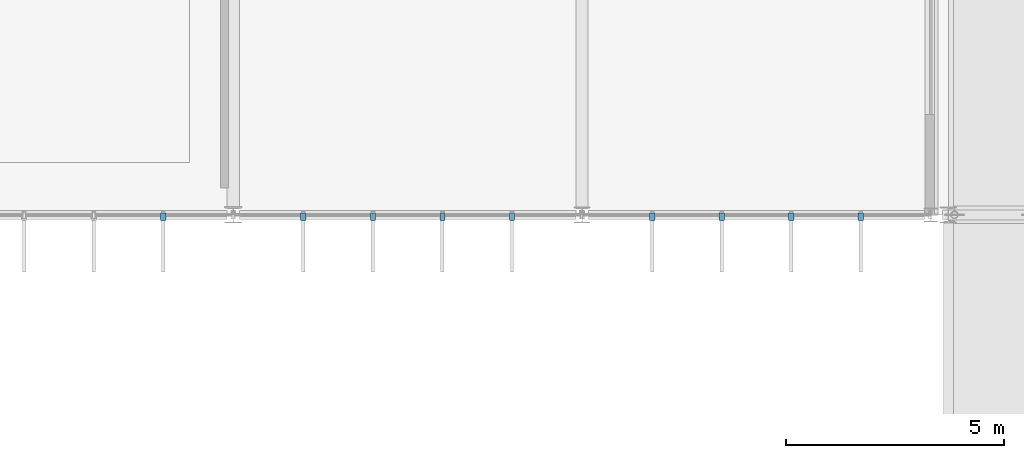
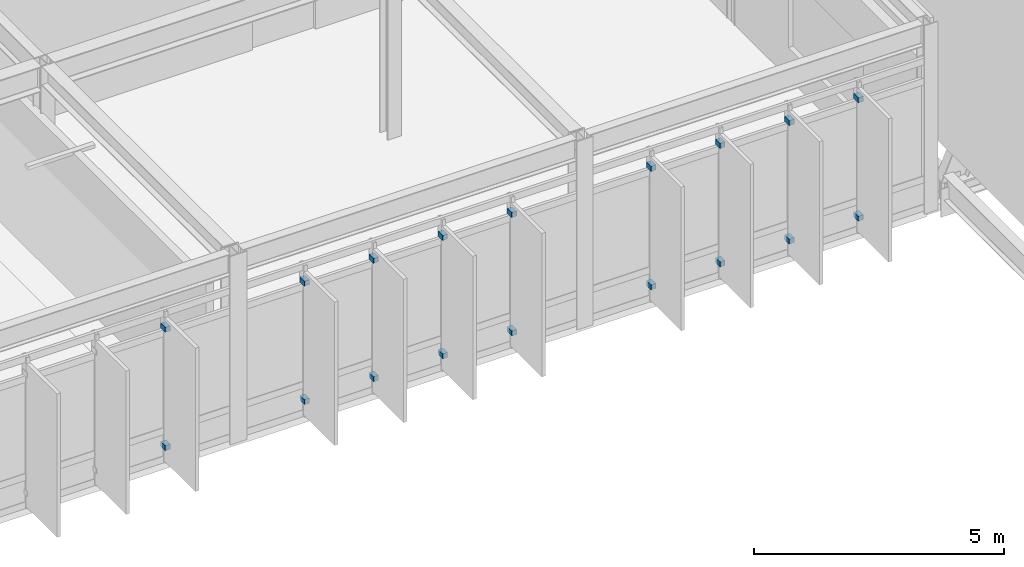
# One storey, part 93 of 100: 18 discrete accessories.
"""IFC4 building model written with IfcOpenShell, lengths in metres."""

from ifc_helpers import new_model, si_unit, direction, frame, origin, origin_2d, place, context, subcontext, project, spatial, rectangle, extrude, material, layer, layer_set, type_object, element, save


model = new_model("IFC4")

# Units and contexts
model_context = context("Model", 3, precision=1e-05, world=origin(), true_north=direction((0.0, 1.0)))
body_context = subcontext(model_context, "Body", "Model", "MODEL_VIEW")
ifc_project = project(units=[si_unit("LENGTHUNIT", "METRE"), si_unit("AREAUNIT", "SQUARE_METRE"), si_unit("VOLUMEUNIT", "CUBIC_METRE"), si_unit("PLANEANGLEUNIT", "RADIAN"), si_unit("MASSUNIT", "GRAM", prefix="KILO")], contexts=[model_context])

# Site, building, storey
site_placement = place(None, origin())
site = spatial("IfcSite", under=ifc_project, at=site_placement, CompositionType="ELEMENT")
building_placement = place(site_placement, origin())
building = spatial("IfcBuilding", under=site, at=building_placement, Name="Zulena Civic Courthouse", CompositionType="ELEMENT")
storey_placement = place(building_placement, frame((0.0, 0.0, 20.39990234375)))
storey = spatial("IfcBuildingStorey", under=building, at=storey_placement, Name="L04", CompositionType="ELEMENT", Elevation=20.39990234375)

# Discrete accessories
ifc_material = material(Name="Gold anodised architectural aluminium AA6063-T6", Category="aluminium")
ifc_layer = layer(ifc_material, 0.1201171875)
ifc_layer_set = layer_set([ifc_layer], Name="Gold anodised architectural aluminium AA6063-T6")
discrete_accessory_type = type_object("IfcDiscreteAccessoryType", Name="FinOutriggerBracket", PredefinedType="BRACKET", material=ifc_layer_set)
for number, where, z_axis, x_axis, name in (
    (1, (122.392822265625, 15.155029296875, 0.340087890625), (0.0, 0.0, 1.0), (0.0, -1.0, 0.0), "brk:V4:L04:3:0:1:20.80"),
    (2, (122.392822265625, 15.155029296875, 3.22998046875), (0.0, 0.0, 1.0), (0.0, -1.0, 0.0), "brk:V4:L04:3:0:1:23.69"),
    (3, (120.797607421875, 15.155029296875, 0.340087890625), (0.0, 0.0, 1.0), (0.0, -1.0, 0.0), "brk:V4:L04:3:0:2:20.80"),
    (4, (120.797607421875, 15.155029296875, 3.22998046875), (0.0, 0.0, 1.0), (0.0, -1.0, 0.0), "brk:V4:L04:3:0:2:23.69"),
    (5, (119.202392578125, 15.155029296875, 0.340087890625), (0.0, 0.0, 1.0), (0.0, -1.0, 0.0), "brk:V4:L04:3:0:3:20.80"),
    (6, (119.202392578125, 15.155029296875, 3.22998046875), (0.0, 0.0, 1.0), (0.0, -1.0, 0.0), "brk:V4:L04:3:0:3:23.69"),
    (7, (117.607177734375, 15.155029296875, 0.340087890625), (0.0, 0.0, 1.0), (0.0, -1.0, 0.0), "brk:V4:L04:3:0:4:20.80"),
    (8, (117.607177734375, 15.155029296875, 3.22998046875), (0.0, 0.0, 1.0), (0.0, -1.0, 0.0), "brk:V4:L04:3:0:4:23.69"),
    (9, (114.392822265625, 15.155029296875, 0.340087890625), (0.0, 0.0, 1.0), (0.0, -1.0, 0.0), "brk:V4:L04:3:1:1:20.80"),
    (10, (114.392822265625, 15.155029296875, 3.22998046875), (0.0, 0.0, 1.0), (0.0, -1.0, 0.0), "brk:V4:L04:3:1:1:23.69"),
    (11, (112.797607421875, 15.155029296875, 0.340087890625), (0.0, 0.0, 1.0), (0.0, -1.0, 0.0), "brk:V4:L04:3:1:2:20.80"),
    (12, (112.797607421875, 15.155029296875, 3.22998046875), (0.0, 0.0, 1.0), (0.0, -1.0, 0.0), "brk:V4:L04:3:1:2:23.69"),
    (13, (111.202392578125, 15.155029296875, 0.340087890625), (0.0, 0.0, 1.0), (0.0, -1.0, 0.0), "brk:V4:L04:3:1:3:20.80"),
    (14, (111.202392578125, 15.155029296875, 3.22998046875), (0.0, 0.0, 1.0), (0.0, -1.0, 0.0), "brk:V4:L04:3:1:3:23.69"),
    (15, (109.607177734375, 15.155029296875, 0.340087890625), (0.0, 0.0, 1.0), (0.0, -1.0, 0.0), "brk:V4:L04:3:1:4:20.80"),
    (16, (109.607177734375, 15.155029296875, 3.22998046875), (0.0, 0.0, 1.0), (0.0, -1.0, 0.0), "brk:V4:L04:3:1:4:23.69"),
    (17, (106.392822265625, 15.155029296875, 0.340087890625), (0.0, 0.0, 1.0), (0.0, -1.0, 0.0), "brk:V4:L04:3:2:1:20.80"),
    (18, (106.392822265625, 15.155029296875, 3.22998046875), (0.0, 0.0, 1.0), (0.0, -1.0, 0.0), "brk:V4:L04:3:2:1:23.69"),
):
    element("IfcDiscreteAccessory", number, at=place(storey_placement, frame(where, z_axis=z_axis, x_axis=x_axis)), inside=storey, type_object=discrete_accessory_type, Name=name, PredefinedType="BRACKET", context=body_context, shape_type="SweptSolid", body=[
        extrude(rectangle(XDim=0.179931640625, YDim=0.1201171875, at=origin_2d()), origin(), (0.0, 0.0, 1.0), 0.1201171875),
    ])

save(model, "model.ifc")
